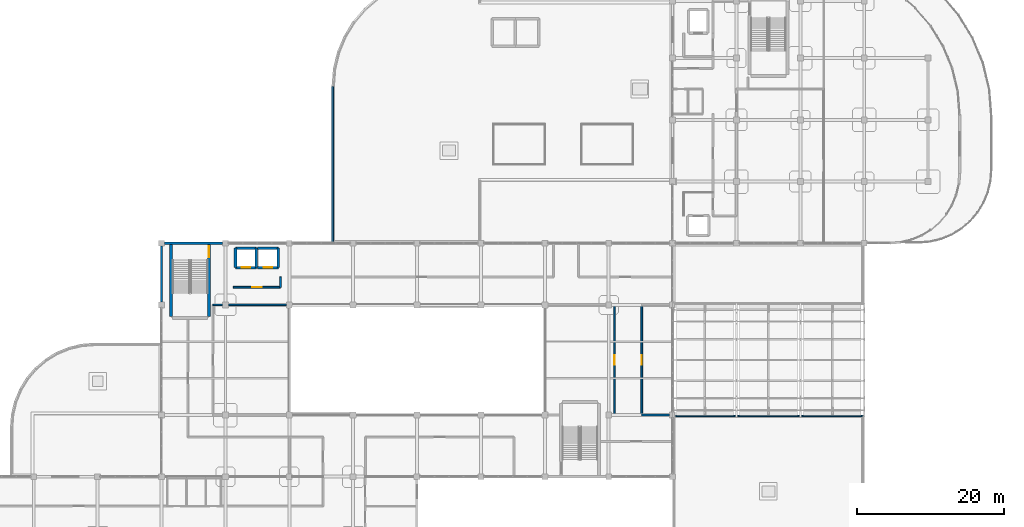
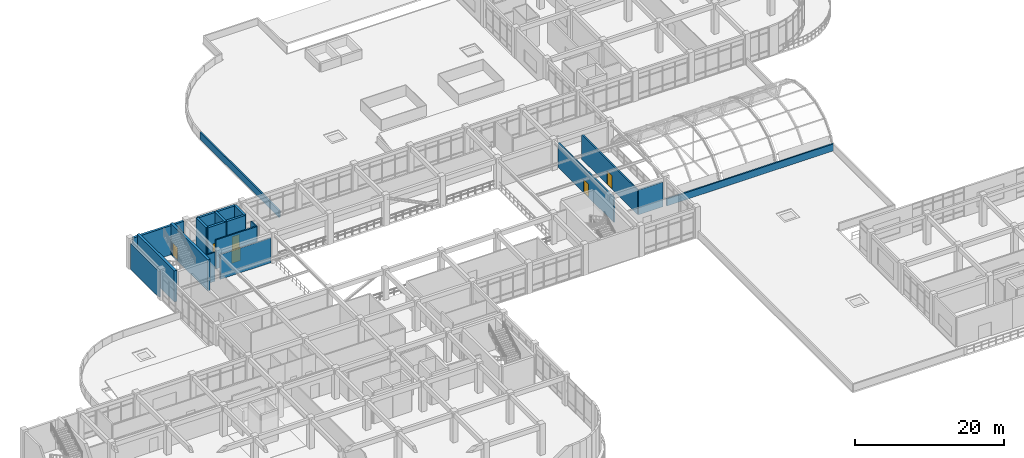
# One storey, part 107 of 124: 20 walls, 6 doors, 6 openings.
"""IFC4 building model written with IfcOpenShell, lengths in metres."""

from ifc_helpers import new_model, si_unit, derived_unit, direction, frame, frame_2d, origin, place, context, subcontext, project, spatial, rectangle, extrude, material, layer, layer_set, type_object, element, fill, save


model = new_model("IFC4")

# Units and contexts
model_context = context("Model", 3, precision=1e-05, world=origin(), true_north=direction((0.0, 1.0)))
body_context = subcontext(model_context, "Body", "Model", "MODEL_VIEW")
ifc_project = project(units=[si_unit("LENGTHUNIT", "METRE"), si_unit("AREAUNIT", "SQUARE_METRE"), si_unit("VOLUMEUNIT", "CUBIC_METRE"), si_unit("PLANEANGLEUNIT", "RADIAN"), si_unit("MASSUNIT", "GRAM", prefix="KILO"), derived_unit("THERMALTRANSMITTANCEUNIT", [(si_unit("MASSUNIT", "GRAM", prefix="KILO"), 1), (si_unit("TIMEUNIT", "SECOND"), -3), (si_unit("THERMODYNAMICTEMPERATUREUNIT", "KELVIN"), -1)])], contexts=[model_context])

# Site, building, storey
site_placement = place(None, origin())
site = spatial("IfcSite", under=ifc_project, at=site_placement, CompositionType="ELEMENT")
building_placement = place(site_placement, origin())
building = spatial("IfcBuilding", under=site, at=building_placement, Name="Qinzheling Arcade Emporium", CompositionType="ELEMENT")
storey_placement = place(building_placement, frame((0.0, 0.0, 16.5)))
storey = spatial("IfcBuildingStorey", under=building, at=storey_placement, Name="L04", CompositionType="ELEMENT", Elevation=16.5)

# Wall
ifc_material_1 = material(Name="Double-stud acoustic gypsum board partition")
ifc_layer_1 = layer(ifc_material_1, 0.215087890625, Name="Double-stud acoustic gypsum board partition")
ifc_layer_set_1 = layer_set([ifc_layer_1], Name="Double-stud acoustic gypsum board partition")
wall_type_1 = type_object("IfcWallType", Name="Acoustic Corridor Partition Wall 215", PredefinedType="PARTITIONING", material=ifc_layer_set_1)
wall_1_placement = place(storey_placement, frame((51.0, 69.199951171875, 0.0), z_axis=(0.0, 0.0, 1.0), x_axis=(0.0, -1.0, 0.0)))
element("IfcWall", 1, at=wall_1_placement, inside=storey, type_object=wall_type_1, Name="Interior Wall WL-L04-INT-0599", PredefinedType="PARTITIONING", context=body_context, shape_type="SweptSolid", body=[
    extrude(rectangle(XDim=1.39990234375, YDim=0.215087890625, at=frame_2d((0.699951171875, 0.0))), origin(), (0.0, 0.0, 1.0), 4.760009765625),
])

# Wall, opening, door
wall_2_placement = place(storey_placement, frame((51.0, 67.800048828125, 0.0), z_axis=(0.0, 0.0, 1.0), x_axis=(-1.0, 0.0, 0.0)))
wall_2 = element("IfcWall", 2, at=wall_2_placement, inside=storey, type_object=wall_type_1, Name="Interior Wall WL-L04-INT-0600", PredefinedType="PARTITIONING", context=body_context, shape_type="SweptSolid", body=[
    extrude(rectangle(XDim=6.39990234375, YDim=0.215087890625, at=frame_2d((3.199951171875, 0.0))), origin(), (0.0, 0.0, 1.0), 4.760009765625),
])
opening_1_placement = place(wall_2_placement, frame((2.52490234375, 0.0, 0.0)))
opening_1 = element("IfcOpeningElement", 3, at=opening_1_placement, cuts=wall_2, Name="Opening FD05", PredefinedType="OPENING", context=body_context, shape_type="SweptSolid", body=[
    extrude(rectangle(XDim=1.35009765625, YDim=2.199951171875, at=frame_2d((0.675048828125, 1.10009765625))), frame((0.0, 0.11767578125, 0.0), z_axis=(0.0, -1.0, 0.0), x_axis=(1.0, 0.0, 0.0)), (0.0, 0.0, 1.0), 0.235107421875),
])
ifc_material_2 = material(Name="Class B fire-rated stainless-clad door")
door_type_1 = type_object("IfcDoorType", Name="Kitchen Fire-Rated Service Door 1350x2200", OperationType="NOTDEFINED", PredefinedType="DOOR", material=ifc_material_2)
door_1_placement = place(opening_1_placement, origin())
door_1 = element("IfcDoor", 4, at=door_1_placement, inside=storey, type_object=door_type_1, Name="FD05 Interior Door DR-L04-INT-0167", OperationType="SINGLE_SWING_RIGHT", OverallHeight=2.199951171875, OverallWidth=1.35009765625, PredefinedType="DOOR", context=body_context, shape_type="SweptSolid", body=[
    extrude(rectangle(XDim=1.35009765625, YDim=2.199951171875, at=frame_2d((0.675048828125, 1.10009765625))), frame((0.0, 0.02490234375, 0.0), z_axis=(0.0, -1.0, 0.0), x_axis=(1.0, 0.0, 0.0)), (0.0, 0.0, 1.0), 0.050048828125),
])
fill(opening_1, door_1)

# Walls
wall_3_placement = place(storey_placement, frame((51.7900390625, 65.39990234375, 0.0), z_axis=(0.0, 0.0, 1.0), x_axis=(-1.0, 0.0, 0.0)))
element("IfcWall", 5, at=wall_3_placement, inside=storey, type_object=wall_type_1, Name="Interior Wall WL-L04-INT-0653", PredefinedType="PARTITIONING", context=body_context, shape_type="SweptSolid", body=[
    extrude(rectangle(XDim=7.880126953125, YDim=0.215087890625, at=frame_2d((3.93994140625, 0.0))), origin(), (0.0, 0.0, 1.0), 4.06005859375),
])
wall_4_placement = place(storey_placement, frame((43.090087890625, 65.39990234375, 0.0), z_axis=(0.0, 0.0, 1.0), x_axis=(-1.0, 0.0, 0.0)))
element("IfcWall", 6, at=wall_4_placement, inside=storey, type_object=wall_type_1, Name="Interior Wall WL-L04-INT-0654", PredefinedType="PARTITIONING", context=body_context, shape_type="SweptSolid", body=[
    extrude(rectangle(XDim=1.2900390625, YDim=0.215087890625, at=frame_2d((0.64501953125, 0.0))), origin(), (0.0, 0.0, 1.0), 4.760009765625),
])

# Wall, opening, door
wall_5_placement = place(storey_placement, frame((100.199951171875, 65.39990234375, 0.0), z_axis=(0.0, 0.0, 1.0), x_axis=(0.0, -1.0, 0.0)))
wall_5 = element("IfcWall", 7, at=wall_5_placement, inside=storey, type_object=wall_type_1, Name="Interior Wall WL-L04-INT-0669", PredefinedType="PARTITIONING", context=body_context, shape_type="SweptSolid", body=[
    extrude(rectangle(XDim=15.0, YDim=0.215087890625, at=frame_2d((7.5, 0.0))), origin(), (0.0, 0.0, 1.0), 4.06005859375),
])
opening_2_placement = place(wall_5_placement, frame((6.824951171875, 0.0, 0.0)))
opening_2 = element("IfcOpeningElement", 8, at=opening_2_placement, cuts=wall_5, Name="Opening FD05", PredefinedType="OPENING", context=body_context, shape_type="SweptSolid", body=[
    extrude(rectangle(XDim=1.35009765625, YDim=2.199951171875, at=frame_2d((0.675048828125, 1.10009765625))), frame((0.0, 0.11767578125, 0.0), z_axis=(0.0, -1.0, 0.0), x_axis=(1.0, 0.0, 0.0)), (0.0, 0.0, 1.0), 0.235107421875),
])
door_2_placement = place(opening_2_placement, origin())
door_2 = element("IfcDoor", 9, at=door_2_placement, inside=storey, type_object=door_type_1, Name="FD05 Interior Door DR-L04-INT-0186", OperationType="SINGLE_SWING_LEFT", OverallHeight=2.199951171875, OverallWidth=1.35009765625, PredefinedType="DOOR", context=body_context, shape_type="SweptSolid", body=[
    extrude(rectangle(XDim=1.35009765625, YDim=2.199951171875, at=frame_2d((0.675048828125, 1.10009765625))), frame((0.0, 0.02490234375, 0.0), z_axis=(0.0, -1.0, 0.0), x_axis=(1.0, 0.0, 0.0)), (0.0, 0.0, 1.0), 0.050048828125),
])
fill(opening_2, door_2)

# Wall
wall_6_placement = place(storey_placement, frame((100.199951171875, 50.39990234375, 0.0), z_axis=(0.0, 0.0, 1.0), x_axis=(1.0, 0.0, 0.0)))
element("IfcWall", 10, at=wall_6_placement, inside=storey, type_object=wall_type_1, Name="Interior Wall WL-L04-INT-0670", PredefinedType="PARTITIONING", context=body_context, shape_type="SweptSolid", body=[
    extrude(rectangle(XDim=3.7900390625, YDim=0.215087890625, at=frame_2d((1.89501953125, 0.0))), origin(), (0.0, 0.0, 1.0), 4.06005859375),
])

# Wall, opening, door
wall_7_placement = place(storey_placement, frame((96.5, 50.39990234375, 0.0), z_axis=(0.0, 0.0, 1.0), x_axis=(0.0, 1.0, 0.0)))
wall_7 = element("IfcWall", 11, at=wall_7_placement, inside=storey, type_object=wall_type_1, Name="Interior Wall WL-L04-INT-0672", PredefinedType="PARTITIONING", context=body_context, shape_type="SweptSolid", body=[
    extrude(rectangle(XDim=15.0, YDim=0.215087890625, at=frame_2d((7.5, 0.0))), origin(), (0.0, 0.0, 1.0), 4.06005859375),
])
opening_3_placement = place(wall_7_placement, frame((6.824951171875, 0.0, 0.0)))
opening_3 = element("IfcOpeningElement", 12, at=opening_3_placement, cuts=wall_7, Name="Opening FD05", PredefinedType="OPENING", context=body_context, shape_type="SweptSolid", body=[
    extrude(rectangle(XDim=1.35009765625, YDim=2.199951171875, at=frame_2d((0.675048828125, 1.10009765625))), frame((0.0, 0.11767578125, 0.0), z_axis=(0.0, -1.0, 0.0), x_axis=(1.0, 0.0, 0.0)), (0.0, 0.0, 1.0), 0.235107421875),
])
door_3_placement = place(opening_3_placement, origin())
door_3 = element("IfcDoor", 13, at=door_3_placement, inside=storey, type_object=door_type_1, Name="FD05 Interior Door DR-L04-INT-0187", OperationType="SINGLE_SWING_RIGHT", OverallHeight=2.199951171875, OverallWidth=1.35009765625, PredefinedType="DOOR", context=body_context, shape_type="SweptSolid", body=[
    extrude(rectangle(XDim=1.35009765625, YDim=2.199951171875, at=frame_2d((0.675048828125, 1.10009765625))), frame((0.0, 0.02490234375, 0.0), z_axis=(0.0, -1.0, 0.0), x_axis=(1.0, 0.0, 0.0)), (0.0, 0.0, 1.0), 0.050048828125),
])
fill(opening_3, door_3)

# Walls
ifc_material_3 = material(Name="Insulated aluminium-clad spandrel wall", Category="aluminium")
ifc_layer_2 = layer(ifc_material_3, 0.260009765625, Name="Insulated aluminium-clad spandrel wall", Category="aluminium")
ifc_layer_set_2 = layer_set([ifc_layer_2], Name="Insulated aluminium-clad spandrel wall")
wall_type_2 = type_object("IfcWallType", Name="Arcade Clerestory Spandrel Wall 260", PredefinedType="STANDARD", material=ifc_layer_set_2)
wall_8_placement = place(storey_placement, frame((34.800048828125, 65.802001953125, 0.0), z_axis=(0.0, 0.0, 1.0), x_axis=(0.0, 1.0, 0.0)))
element("IfcWall", 14, at=wall_8_placement, inside=storey, type_object=wall_type_2, Name="Exterior Wall WL-L04-EW-0236", PredefinedType="STANDARD", context=body_context, shape_type="SweptSolid", body=[
    extrude(rectangle(XDim=7.595947265625, YDim=0.260009765625, at=frame_2d((3.7978515625, 0.0))), origin(), (0.0, 0.0, 1.0), 4.2548828125),
])
ifc_material_4 = material(Name="Fluted granite ashlar on Concrete C40", Category="masonry")
ifc_layer_3 = layer(ifc_material_4, 0.35009765625, Name="Fluted granite ashlar on Concrete C40", Category="masonry")
ifc_layer_set_3 = layer_set([ifc_layer_3], Name="Fluted granite ashlar on Concrete C40")
wall_type_3 = type_object("IfcWallType", Name="Fluted Granite Logistics Wall 350", PredefinedType="STANDARD", material=ifc_layer_set_3)
wall_9_placement = place(storey_placement, frame((35.201904296875, 73.800048828125, 0.0), z_axis=(0.0, 0.0, 1.0), x_axis=(1.0, 0.0, 0.0)))
element("IfcWall", 15, at=wall_9_placement, inside=storey, type_object=wall_type_3, Name="Exterior Wall WL-L04-EW-0237", PredefinedType="STANDARD", context=body_context, shape_type="SweptSolid", body=[
    extrude(rectangle(XDim=7.89599609375, YDim=0.35009765625, at=frame_2d((3.947998046875, 0.0))), origin(), (0.0, 0.0, 1.0), 4.7900390625),
])
ifc_material_5 = material(Name="Precast concrete C40", Category="concrete")
ifc_layer_4 = layer(ifc_material_5, 0.22998046875, Name="Precast concrete C40", Category="concrete")
ifc_layer_set_4 = layer_set([ifc_layer_4], Name="Precast concrete C40")
wall_type_4 = type_object("IfcWallType", Name="Logistics Acoustic Roof Parapet 230", PredefinedType="PARAPET", material=ifc_layer_set_4)
wall_10_placement = place(storey_placement, frame((58.114990234375, 73.9150390625, 0.0), z_axis=(0.0, 0.0, 1.0), x_axis=(0.0, 1.0, 0.0)))
element("IfcWall", 16, at=wall_10_placement, inside=storey, type_object=wall_type_4, Name="Roof Parapet WL-L04-PW-013", PredefinedType="PARAPET", context=body_context, shape_type="SweptSolid", body=[
    extrude(rectangle(XDim=21.280029296875, YDim=0.22998046875, at=frame_2d((10.64013671875, 0.0))), origin(), (0.0, 0.0, 1.0), 1.14990234375),
])
ifc_material_6 = material(Name="Concrete C40", Category="concrete")
ifc_layer_5 = layer(ifc_material_6, 0.35009765625, Name="Concrete C40", Category="concrete")
ifc_layer_set_5 = layer_set([ifc_layer_5], Name="Concrete C40")
wall_type_5 = type_object("IfcWallType", Name="RC Lift Shaft Shear Wall 350 C40", PredefinedType="SHEAR", material=ifc_layer_set_5)
wall_11_placement = place(storey_placement, frame((44.875, 73.125, 0.0), z_axis=(0.0, 0.0, 1.0), x_axis=(1.0, 0.0, 0.0)))
element("IfcWall", 17, at=wall_11_placement, inside=storey, type_object=wall_type_5, Name="Lift Shaft Wall WL-L04-LFT-LP03-N", PredefinedType="SHEAR", context=body_context, shape_type="SweptSolid", body=[
    extrude(rectangle(XDim=2.85009765625, YDim=0.35009765625, at=frame_2d((1.425048828125, 0.0))), origin(), (0.0, 0.0, 1.0), 5.10009765625),
])

# Wall, opening, door
wall_12_placement = place(storey_placement, frame((47.72509765625, 70.47509765625, 0.0), z_axis=(0.0, 0.0, 1.0), x_axis=(-1.0, 0.0, 0.0)))
wall_12 = element("IfcWall", 18, at=wall_12_placement, inside=storey, type_object=wall_type_5, Name="Lift Shaft Wall WL-L04-LFT-LP03-S", PredefinedType="SHEAR", context=body_context, shape_type="SweptSolid", body=[
    extrude(rectangle(XDim=2.85009765625, YDim=0.35009765625, at=frame_2d((1.425048828125, 0.0))), origin(), (0.0, 0.0, 1.0), 5.10009765625),
])
opening_4_placement = place(wall_12_placement, frame((0.824951171875, 0.0, 0.0)))
opening_4 = element("IfcOpeningElement", 19, at=opening_4_placement, cuts=wall_12, Name="Opening LD02", PredefinedType="OPENING", context=body_context, shape_type="SweptSolid", body=[
    extrude(rectangle(XDim=1.199951171875, YDim=2.199951171875, at=frame_2d((0.60009765625, 1.10009765625))), frame((0.0, 0.18505859375, 0.0), z_axis=(0.0, -1.0, 0.0), x_axis=(1.0, 0.0, 0.0)), (0.0, 0.0, 1.0), 0.3701171875),
])
ifc_material_7 = material(Name="Brushed bronze stainless sliding lift door")
door_type_2 = type_object("IfcDoorType", Name="Passenger Lift Sliding Landing Door 1200x2200", OperationType="DOUBLE_DOOR_SLIDING", PredefinedType="DOOR", material=ifc_material_7)
door_4_placement = place(opening_4_placement, origin())
door_4 = element("IfcDoor", 20, at=door_4_placement, inside=storey, type_object=door_type_2, Name="LD02 Lift Landing Door LP03 L04", OperationType="DOUBLE_DOOR_SLIDING", OverallHeight=2.199951171875, OverallWidth=1.199951171875, PredefinedType="DOOR", context=body_context, shape_type="SweptSolid", body=[
    extrude(rectangle(XDim=1.199951171875, YDim=2.199951171875, at=frame_2d((0.60009765625, 1.10009765625))), frame((0.0, 0.02490234375, 0.0), z_axis=(0.0, -1.0, 0.0), x_axis=(1.0, 0.0, 0.0)), (0.0, 0.0, 1.0), 0.050048828125),
])
fill(opening_4, door_4)

# Walls
for number, where, z_axis, x_axis, name in (
    (21, (44.875, 70.47509765625, 0.0), (0.0, 0.0, 1.0), (0.0, 1.0, 0.0), "Lift Shaft Wall WL-L04-LFT-LP03-W"),
    (22, (47.72509765625, 73.125, 0.0), (0.0, 0.0, 1.0), (0.0, -1.0, 0.0), "Lift Shaft Wall WL-L04-LFT-LP03-E"),
):
    element("IfcWall", number, at=place(storey_placement, frame(where, z_axis=z_axis, x_axis=x_axis)), inside=storey, type_object=wall_type_5, Name=name, PredefinedType="SHEAR", context=body_context, shape_type="SweptSolid", body=[
        extrude(rectangle(XDim=2.64990234375, YDim=0.35009765625, at=frame_2d((1.324951171875, 0.0))), origin(), (0.0, 0.0, 1.0), 5.10009765625),
    ])
wall_13_placement = place(storey_placement, frame((47.875, 73.125, 0.0), z_axis=(0.0, 0.0, 1.0), x_axis=(1.0, 0.0, 0.0)))
element("IfcWall", 23, at=wall_13_placement, inside=storey, type_object=wall_type_5, Name="Lift Shaft Wall WL-L04-LFT-LP04-N", PredefinedType="SHEAR", context=body_context, shape_type="SweptSolid", body=[
    extrude(rectangle(XDim=2.85009765625, YDim=0.35009765625, at=frame_2d((1.425048828125, 0.0))), origin(), (0.0, 0.0, 1.0), 5.10009765625),
])

# Wall, opening, door
wall_14_placement = place(storey_placement, frame((50.72509765625, 70.47509765625, 0.0), z_axis=(0.0, 0.0, 1.0), x_axis=(-1.0, 0.0, 0.0)))
wall_14 = element("IfcWall", 24, at=wall_14_placement, inside=storey, type_object=wall_type_5, Name="Lift Shaft Wall WL-L04-LFT-LP04-S", PredefinedType="SHEAR", context=body_context, shape_type="SweptSolid", body=[
    extrude(rectangle(XDim=2.85009765625, YDim=0.35009765625, at=frame_2d((1.425048828125, 0.0))), origin(), (0.0, 0.0, 1.0), 5.10009765625),
])
opening_5_placement = place(wall_14_placement, frame((0.824951171875, 0.0, 0.0)))
opening_5 = element("IfcOpeningElement", 25, at=opening_5_placement, cuts=wall_14, Name="Opening LD02", PredefinedType="OPENING", context=body_context, shape_type="SweptSolid", body=[
    extrude(rectangle(XDim=1.199951171875, YDim=2.199951171875, at=frame_2d((0.60009765625, 1.10009765625))), frame((0.0, 0.18505859375, 0.0), z_axis=(0.0, -1.0, 0.0), x_axis=(1.0, 0.0, 0.0)), (0.0, 0.0, 1.0), 0.3701171875),
])
door_5_placement = place(opening_5_placement, origin())
door_5 = element("IfcDoor", 26, at=door_5_placement, inside=storey, type_object=door_type_2, Name="LD02 Lift Landing Door LP04 L04", OperationType="DOUBLE_DOOR_SLIDING", OverallHeight=2.199951171875, OverallWidth=1.199951171875, PredefinedType="DOOR", context=body_context, shape_type="SweptSolid", body=[
    extrude(rectangle(XDim=1.199951171875, YDim=2.199951171875, at=frame_2d((0.60009765625, 1.10009765625))), frame((0.0, 0.02490234375, 0.0), z_axis=(0.0, -1.0, 0.0), x_axis=(1.0, 0.0, 0.0)), (0.0, 0.0, 1.0), 0.050048828125),
])
fill(opening_5, door_5)

# Walls
wall_15_placement = place(storey_placement, frame((50.72509765625, 73.125, 0.0), z_axis=(0.0, 0.0, 1.0), x_axis=(0.0, -1.0, 0.0)))
element("IfcWall", 27, at=wall_15_placement, inside=storey, type_object=wall_type_5, Name="Lift Shaft Wall WL-L04-LFT-LP04-E", PredefinedType="SHEAR", context=body_context, shape_type="SweptSolid", body=[
    extrude(rectangle(XDim=2.64990234375, YDim=0.35009765625, at=frame_2d((1.324951171875, 0.0))), origin(), (0.0, 0.0, 1.0), 5.10009765625),
])
ifc_material_8 = material(Name="Concrete C50", Category="concrete")
ifc_layer_6 = layer(ifc_material_8, 0.39990234375, Name="Concrete C50", Category="concrete")
ifc_layer_set_6 = layer_set([ifc_layer_6], Name="Concrete C50")
wall_type_6 = type_object("IfcWallType", Name="RC Stair Core Shear Wall 400 C50", PredefinedType="SHEAR", material=ifc_layer_set_6)
wall_16_placement = place(storey_placement, frame((36.10009765625, 63.800048828125, 0.0), z_axis=(0.0, 0.0, 1.0), x_axis=(0.0, 1.0, 0.0)))
element("IfcWall", 28, at=wall_16_placement, inside=storey, type_object=wall_type_6, Name="Stair Core Wall WL-L04-ST03-WEST", PredefinedType="SHEAR", context=body_context, shape_type="SweptSolid", body=[
    extrude(rectangle(XDim=10.0, YDim=0.39990234375, at=frame_2d((5.0, 0.0))), origin(), (0.0, 0.0, 1.0), 5.10009765625),
])

# Wall, opening, door
wall_17_placement = place(storey_placement, frame((41.2900390625, 73.800048828125, 0.0), z_axis=(0.0, 0.0, 1.0), x_axis=(0.0, -1.0, 0.0)))
wall_17 = element("IfcWall", 29, at=wall_17_placement, inside=storey, type_object=wall_type_6, Name="Stair Core Wall WL-L04-ST03-EAST", PredefinedType="SHEAR", context=body_context, shape_type="SweptSolid", body=[
    extrude(rectangle(XDim=10.0, YDim=0.39990234375, at=frame_2d((5.0, 0.0))), origin(), (0.0, 0.0, 1.0), 5.10009765625),
])
opening_6_placement = place(wall_17_placement, frame((0.409912109375, 0.0, 0.0)))
opening_6 = element("IfcOpeningElement", 30, at=opening_6_placement, cuts=wall_17, Name="Opening FD01", PredefinedType="OPENING", context=body_context, shape_type="SweptSolid", body=[
    extrude(rectangle(XDim=1.5, YDim=2.199951171875, at=frame_2d((0.75, 1.10009765625))), frame((0.0, 0.2099609375, 0.0), z_axis=(0.0, -1.0, 0.0), x_axis=(1.0, 0.0, 0.0)), (0.0, 0.0, 1.0), 0.419921875),
])
ifc_material_9 = material(Name="Class A fire-rated steel double door", Category="steel")
door_type_3 = type_object("IfcDoorType", Name="Stairwell Smoke-Proof Fire Door 1500x2200", OperationType="DOUBLE_DOOR_SINGLE_SWING", PredefinedType="DOOR", material=ifc_material_9)
door_6_placement = place(opening_6_placement, origin())
door_6 = element("IfcDoor", 31, at=door_6_placement, inside=storey, type_object=door_type_3, Name="FD01 Stairwell Fire Door DR-L04-ST03-FD", OperationType="DOUBLE_DOOR_SINGLE_SWING", OverallHeight=2.199951171875, OverallWidth=1.5, PredefinedType="DOOR", context=body_context, shape_type="SweptSolid", body=[
    extrude(rectangle(XDim=1.5, YDim=2.199951171875, at=frame_2d((0.75, 1.10009765625))), frame((0.0, 0.02490234375, 0.0), z_axis=(0.0, -1.0, 0.0), x_axis=(1.0, 0.0, 0.0)), (0.0, 0.0, 1.0), 0.050048828125),
])
fill(opening_6, door_6)

# Wall
ifc_material_10 = material(Name="Precast concrete C40 with terracotta coping", Category="masonry")
ifc_layer_7 = layer(ifc_material_10, 0.219970703125, Name="Precast concrete C40 with terracotta coping", Category="masonry")
ifc_layer_set_7 = layer_set([ifc_layer_7], Name="Precast concrete C40 with terracotta coping")
wall_type_7 = type_object("IfcWallType", Name="Terracotta Coping Roof Parapet 220", PredefinedType="PARAPET", material=ifc_layer_set_7)
wall_18_placement = place(storey_placement, frame((104.510009765625, 50.2900390625, 0.0), z_axis=(0.0, 0.0, 1.0), x_axis=(1.0, 0.0, 0.0)))
element("IfcWall", 32, at=wall_18_placement, inside=storey, type_object=wall_type_7, Name="Roof Parapet WL-L04-PW-029", PredefinedType="PARAPET", context=body_context, shape_type="SweptSolid", body=[
    extrude(rectangle(XDim=25.8798828125, YDim=0.219970703125, at=frame_2d((12.93994140625, 0.0))), origin(), (0.0, 0.0, 1.0), 1.14990234375),
])

save(model, "model.ifc")
